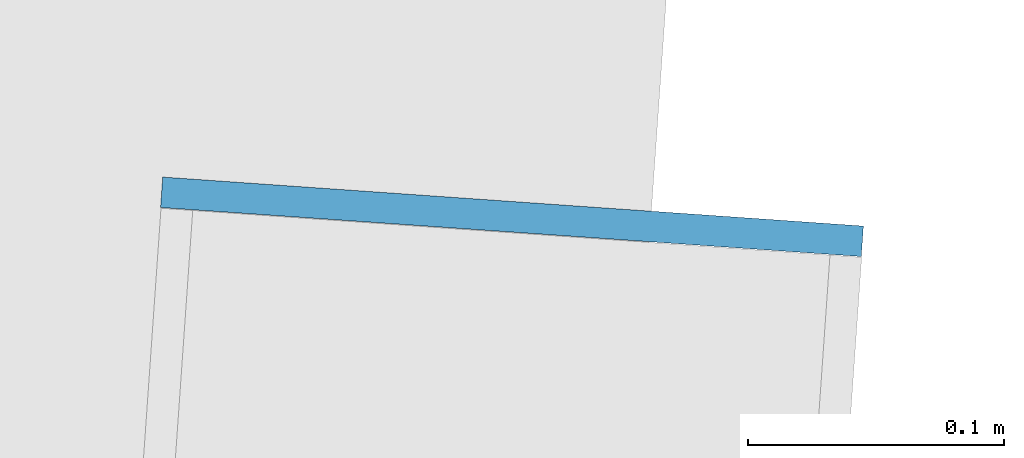
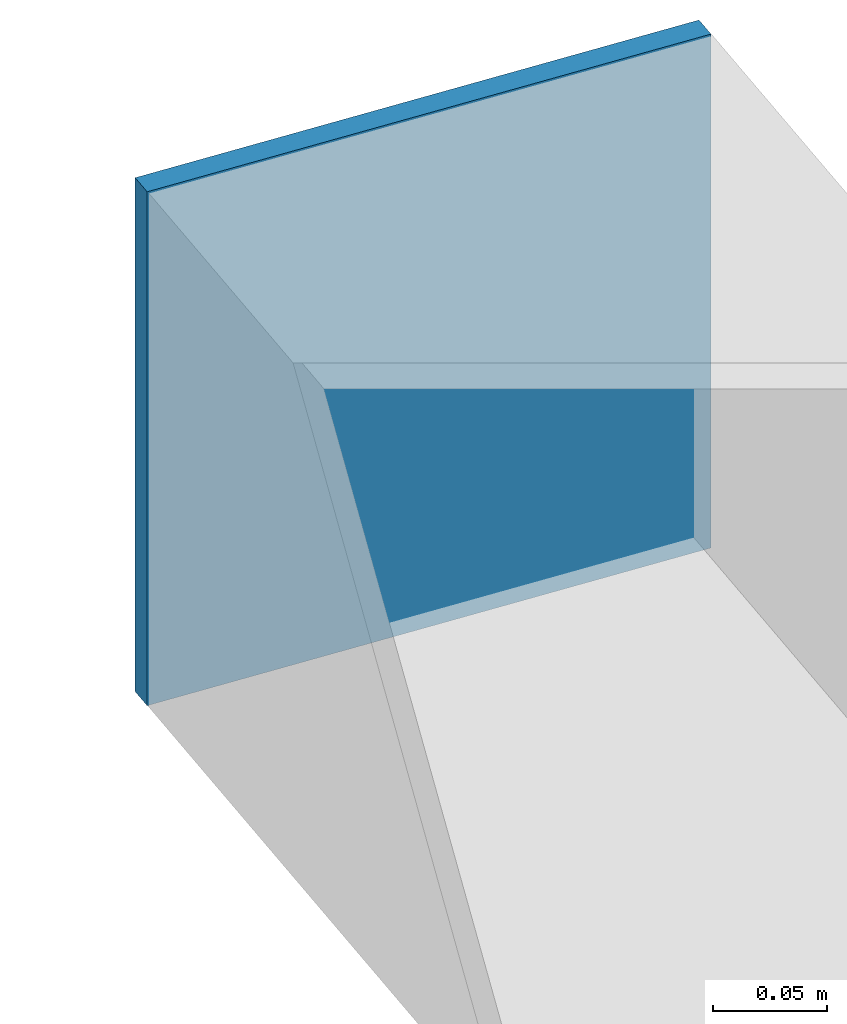
# One storey, part 34 of 39: 1 plate.
"""IFC4 building model written with IfcOpenShell, lengths in metres."""

from ifc_helpers import new_model, si_unit, direction, frame, origin, origin_2d, place, context, subcontext, project, spatial, rectangle, extrude, source, transform, mapped, material, layer, layer_set, type_object, element, save


model = new_model("IFC4")

# Units and contexts
model_context = context("Model", 3, precision=1e-05, world=origin(), true_north=direction((0.0, 1.0)))
body_context = subcontext(model_context, "Body", "Model", "MODEL_VIEW")
ifc_project = project(units=[si_unit("LENGTHUNIT", "METRE"), si_unit("AREAUNIT", "SQUARE_METRE"), si_unit("VOLUMEUNIT", "CUBIC_METRE"), si_unit("PLANEANGLEUNIT", "RADIAN"), si_unit("MASSUNIT", "GRAM", prefix="KILO")], contexts=[model_context])

# Site, building, storey
site_placement = place(None, origin())
site = spatial("IfcSite", under=ifc_project, at=site_placement, CompositionType="ELEMENT")
building_placement = place(site_placement, origin())
building = spatial("IfcBuilding", under=site, at=building_placement, Name="Taldren Reach Tower", CompositionType="ELEMENT")
storey_placement = place(building_placement, frame((0.0, 0.0, 136.14990234375)))
storey = spatial("IfcBuildingStorey", under=building, at=storey_placement, Name="L41", CompositionType="ELEMENT", Elevation=136.14990234375)

# Plate
ifc_material = material(Name="Steel Gr 450 (C450L0)", Category="steel")
ifc_layer = layer(ifc_material, 0.011962890625)
ifc_layer_set = layer_set([ifc_layer], Name="Steel Gr 450 (C450L0)")
plate_type = type_object("IfcPlateType", Name="PL-CAP-275", PredefinedType="SHEET", material=ifc_layer_set)
shared_shape = source(origin(), body_context, "Body", "SweptSolid", [
    extrude(rectangle(XDim=0.27490234375, YDim=0.011962890625, at=origin_2d()), origin(), (0.0, 0.0, 1.0), 0.27490234375),
])
plate_placement = place(storey_placement, frame((58.544921875, 36.413818359375, 2.5126953125), z_axis=(0.0, 0.0, 1.0), x_axis=(0.99756405026, -0.069756473744, 0.0)))
element("IfcPlate", 1, at=plate_placement, inside=storey, type_object=plate_type, Name="Tie strut end cap plate B3-N6 L41", PredefinedType="SHEET", context=body_context, shape_type="MappedRepresentation", body=[
    mapped(shared_shape, transform((0.0, 0.0, 0.0), scale=1.0)),
])

save(model, "model.ifc")
